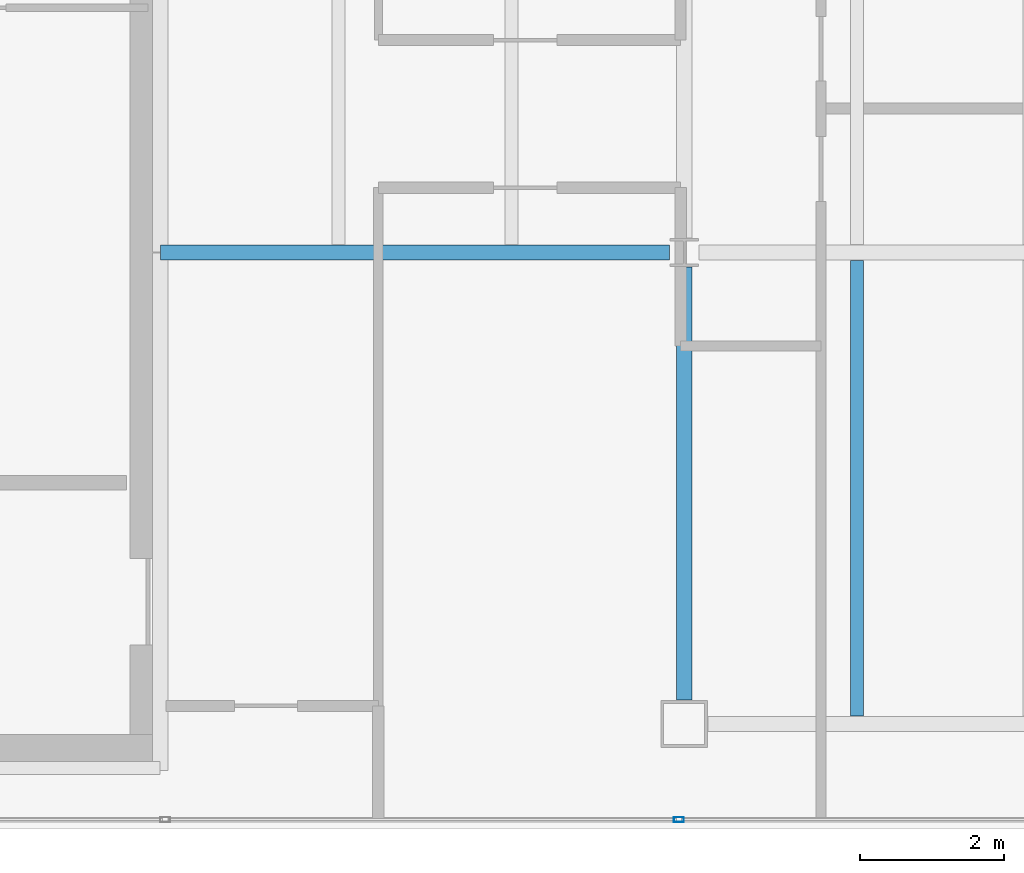
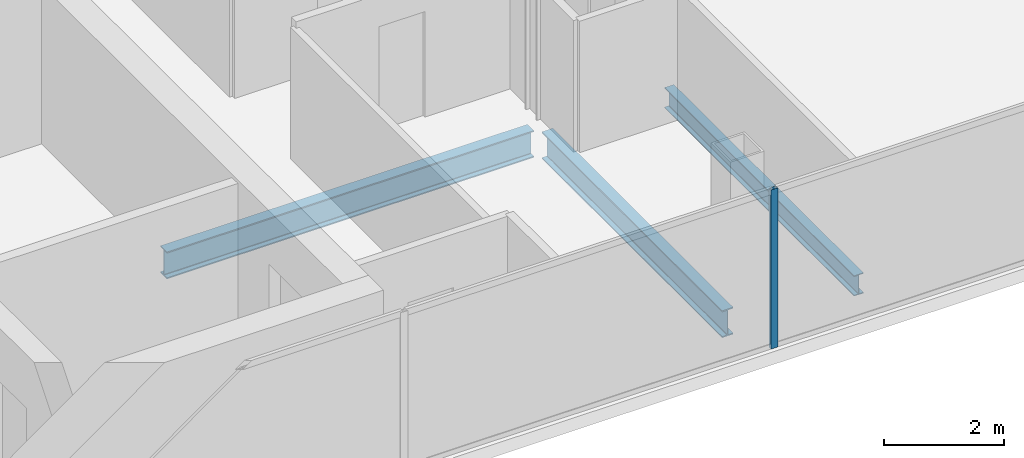
# One storey, part 5 of 23: 3 beams, 1 member, 1 element without a shape of its own.
"""IFC4 building model written with IfcOpenShell, lengths in metres."""

from ifc_helpers import new_model, si_unit, direction, frame, origin, origin_2d, place, context, subcontext, project, spatial, hollow_rectangle, i_section, extrude, material, material_profile, profile_set, type_object, element, aggregate, save


model = new_model("IFC4")

# Units and contexts
model_context = context("Model", 3, precision=1e-05, world=origin(), true_north=direction((0.0, 1.0)))
body_context = subcontext(model_context, "Body", "Model", "MODEL_VIEW")
ifc_project = project(units=[si_unit("LENGTHUNIT", "METRE"), si_unit("AREAUNIT", "SQUARE_METRE"), si_unit("VOLUMEUNIT", "CUBIC_METRE"), si_unit("PLANEANGLEUNIT", "RADIAN"), si_unit("MASSUNIT", "GRAM", prefix="KILO")], contexts=[model_context])

# Site, building, storey
site_placement = place(None, origin())
site = spatial("IfcSite", under=ifc_project, at=site_placement, CompositionType="ELEMENT")
building_placement = place(site_placement, origin())
building = spatial("IfcBuilding", under=site, at=building_placement, Name="Cobrela Telecom Tower", CompositionType="ELEMENT")
storey_placement = place(building_placement, frame((0.0, 0.0, 255.14990234375)))
storey = spatial("IfcBuildingStorey", under=building, at=storey_placement, Name="L66", CompositionType="ELEMENT", Elevation=255.14990234375)

# Beams
ifc_material_1 = material(Name="Steel ASTM A992 Grade 50", Category="steel")
ifc_material_profile_1 = material_profile(ifc_material_1, i_section(OverallWidth=0.212890625, OverallDepth=0.549072265625, WebThickness=0.0146484375, FlangeThickness=0.023681640625, FilletRadius=0.013916015625, at=origin_2d()), Name="W21X93")
ifc_profile_set_1 = profile_set([ifc_material_profile_1], Name="Steel ASTM A992 Grade 50")
beam_type_1 = type_object("IfcBeamType", Name="BM-GIRD-08", PredefinedType="USERDEFINED", material=ifc_profile_set_1)
beam_1_placement = place(storey_placement, frame((14.324951171875, 14.39990234375, -0.534423828125), z_axis=(1.0, 0.0, 0.0), x_axis=(0.0, 1.0, 0.0)))
element("IfcBeam", 1, at=beam_1_placement, inside=storey, type_object=beam_type_1, Name="L66 Primary Girder X05", ObjectType="GIRDER", PredefinedType="USERDEFINED", context=body_context, shape_type="SweptSolid", body=[
    extrude(i_section(OverallWidth=0.212890625, OverallDepth=0.549072265625, WebThickness=0.0146484375, FlangeThickness=0.023681640625, FilletRadius=0.013916015625, at=origin_2d()), origin(), (0.0, 0.0, 1.0), 7.070556640625),
])
beam_2_placement = place(storey_placement, frame((21.60009765625, 8.179931640625, -0.534423828125), z_axis=(0.0, 1.0, 0.0), x_axis=(-1.0, 0.0, 0.0)))
element("IfcBeam", 2, at=beam_2_placement, inside=storey, type_object=beam_type_1, Name="L66 Primary Girder Y27", ObjectType="GIRDER", PredefinedType="USERDEFINED", context=body_context, shape_type="SweptSolid", body=[
    extrude(i_section(OverallWidth=0.212890625, OverallDepth=0.549072265625, WebThickness=0.0146484375, FlangeThickness=0.023681640625, FilletRadius=0.013916015625, at=origin_2d()), origin(), (0.0, 0.0, 1.0), 6.015625),
])
ifc_material_profile_2 = material_profile(ifc_material_1, i_section(OverallWidth=0.179931640625, OverallDepth=0.4169921875, WebThickness=0.010986328125, FlangeThickness=0.01806640625, FilletRadius=0.011962890625, at=origin_2d()), Name="W16X57")
ifc_profile_set_2 = profile_set([ifc_material_profile_2], Name="Steel ASTM A992 Grade 50")
beam_type_2 = type_object("IfcBeamType", Name="BM-JOIST-04", PredefinedType="JOIST", material=ifc_profile_set_2)
beam_3_placement = place(storey_placement, frame((24.0, 7.96142578125, -0.468505859375), z_axis=(0.0, 1.0, 0.0), x_axis=(-1.0, 0.0, 0.0)))
element("IfcBeam", 3, at=beam_3_placement, inside=storey, type_object=beam_type_2, Name="L66 Secondary Composite Floor Beam J07", PredefinedType="JOIST", context=body_context, shape_type="SweptSolid", body=[
    extrude(i_section(OverallWidth=0.179931640625, OverallDepth=0.4169921875, WebThickness=0.010986328125, FlangeThickness=0.01806640625, FilletRadius=0.011962890625, at=origin_2d()), origin(), (0.0, 0.0, 1.0), 6.3271484375),
])

# Curtain wall, member
ifc_material_2 = material(Name="Anodized Bronze Aluminium 6063-T6", Category="aluminium")
curtain_wall_type = type_object("IfcCurtainWallType", Name="CW-SYS-OFF-HI", PredefinedType="USERDEFINED", material=ifc_material_2)
curtain_wall_placement = place(storey_placement, origin())
curtain_wall = element("IfcCurtainWall", 4, at=curtain_wall_placement, inside=storey, type_object=curtain_wall_type, Name="L66 Unitised Bronze Curtain Wall 15", ObjectType="UNITISED CURTAIN WALL", PredefinedType="USERDEFINED")
ifc_material_profile_3 = material_profile(ifc_material_2, hollow_rectangle(XDim=0.070068359375, YDim=0.139892578125, WallThickness=0.00390625, at=origin_2d()), Name="ALU 70x140x4")
ifc_profile_set_3 = profile_set([ifc_material_profile_3], Name="Anodized Bronze Aluminium 6063-T6")
member_type = type_object("IfcMemberType", Name="CW-SYS-OFF-HI-MUL", PredefinedType="MULLION", material=ifc_profile_set_3)
member_placement = place(storey_placement, frame((21.52490234375, 6.52001953125, 0.0), z_axis=(0.0, 0.0, 1.0), x_axis=(0.0, -1.0, 0.0)))
member = element("IfcMember", 5, at=member_placement, type_object=member_type, Name="CW-OFF-HI mullion 4", PredefinedType="MULLION", context=body_context, shape_type="SweptSolid", body=[
    extrude(hollow_rectangle(XDim=0.070068359375, YDim=0.139892578125, WallThickness=0.00390625, at=origin_2d()), origin(), (0.0, 0.0, 1.0), 3.239990234375),
])
aggregate(curtain_wall, [member])

save(model, "model.ifc")
